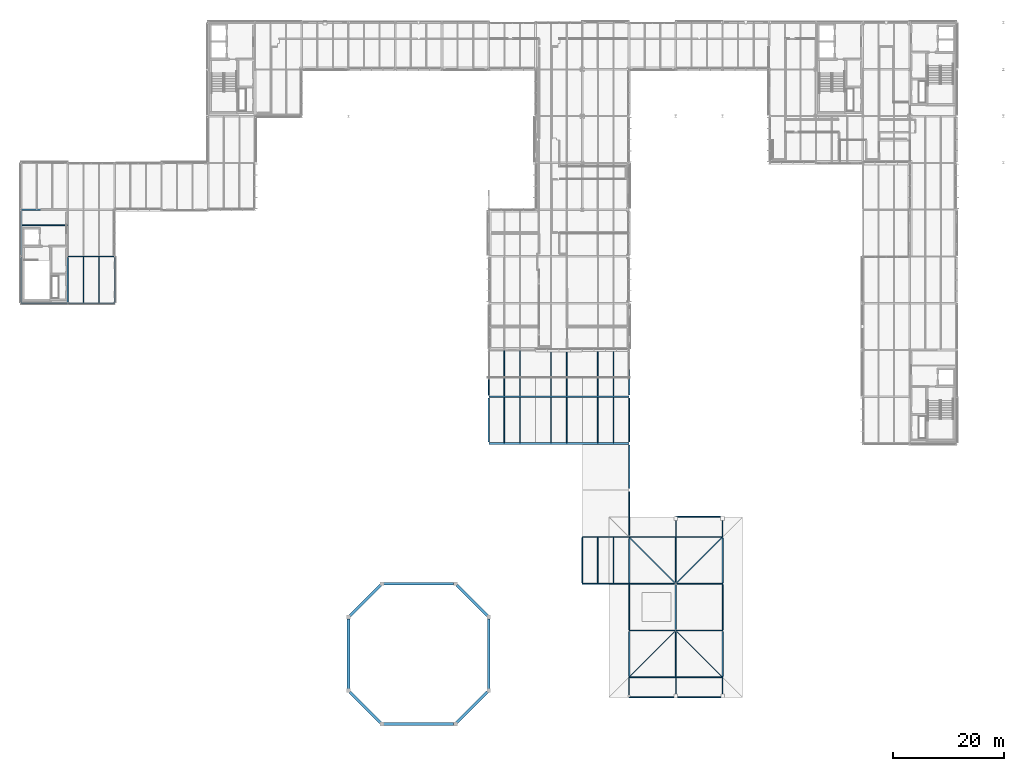
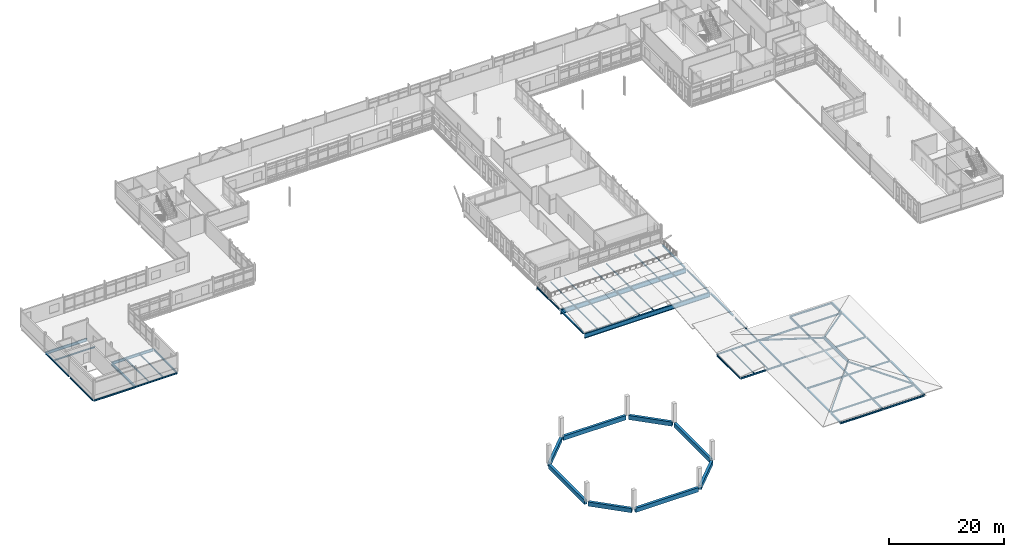
# One storey, part 13 of 103: 70 beams, 4 members.
"""IFC4 building model written with IfcOpenShell, lengths in metres."""

from ifc_helpers import new_model, si_unit, direction, frame, origin, origin_2d, place, context, subcontext, project, spatial, rectangle, i_section, extrude, material, material_profile, profile_set, type_object, element, save


model = new_model("IFC4")

# Units and contexts
model_context = context("Model", 3, precision=1e-05, world=origin(), true_north=direction((0.0, 1.0)))
body_context = subcontext(model_context, "Body", "Model", "MODEL_VIEW")
ifc_project = project(units=[si_unit("LENGTHUNIT", "METRE"), si_unit("AREAUNIT", "SQUARE_METRE"), si_unit("VOLUMEUNIT", "CUBIC_METRE"), si_unit("PLANEANGLEUNIT", "RADIAN"), si_unit("MASSUNIT", "GRAM", prefix="KILO")], contexts=[model_context])

# Site, building, storey
site_placement = place(None, origin())
site = spatial("IfcSite", under=ifc_project, at=site_placement, CompositionType="ELEMENT")
building_placement = place(site_placement, origin())
building = spatial("IfcBuilding", under=site, at=building_placement, Name="Mersafa Astral City Hall", CompositionType="ELEMENT")
storey_placement = place(building_placement, frame((0.0, 0.0, 18.0)))
storey = spatial("IfcBuildingStorey", under=building, at=storey_placement, Name="L04", CompositionType="ELEMENT", Elevation=18.0)

# Beams
ifc_material_1 = material(Name="Concrete C40/50", Category="concrete")
ifc_material_profile_1 = material_profile(ifc_material_1, rectangle(XDim=0.5, YDim=0.89990234375, at=origin_2d()), Name="RC 500x900")
ifc_profile_set_1 = profile_set([ifc_material_profile_1], Name="Concrete C40/50")
beam_type_1 = type_object("IfcBeamType", Name="STR-BM-DRUM-RC500X900", PredefinedType="BEAM", material=ifc_profile_set_1)
beam_1_placement = place(storey_placement, frame((73.510009765625, 0.0, -0.449951171875), z_axis=(1.0, 0.0, 0.0), x_axis=(0.0, 1.0, 0.0)))
element("IfcBeam", 1, at=beam_1_placement, inside=storey, type_object=beam_type_1, Name="L04 Chamber drum ring beam 1", PredefinedType="BEAM", context=body_context, shape_type="SweptSolid", body=[
    extrude(rectangle(XDim=0.5, YDim=0.89990234375, at=origin_2d()), origin(), (0.0, 0.0, 1.0), 12.580078125),
])
beam_2_placement = place(storey_placement, frame((86.619140625, 0.21923828125, -0.449951171875), z_axis=(0.707122301018, 0.707091261015, 0.0), x_axis=(-0.707091261015, 0.707122301018, 0.0)))
element("IfcBeam", 2, at=beam_2_placement, inside=storey, type_object=beam_type_1, Name="L04 Chamber drum ring beam 2", PredefinedType="BEAM", context=body_context, shape_type="SweptSolid", body=[
    extrude(rectangle(XDim=0.5, YDim=0.89990234375, at=origin_2d()), origin(), (0.0, 0.0, 1.0), 7.865234375),
])
beam_3_placement = place(storey_placement, frame((92.39990234375, 6.31005859375, -0.449951171875), z_axis=(0.0, 1.0, 0.0), x_axis=(-1.0, 0.0, 0.0)))
element("IfcBeam", 3, at=beam_3_placement, inside=storey, type_object=beam_type_1, Name="L04 Chamber drum ring beam 3", PredefinedType="BEAM", context=body_context, shape_type="SweptSolid", body=[
    extrude(rectangle(XDim=0.5, YDim=0.89990234375, at=origin_2d()), origin(), (0.0, 0.0, 1.0), 12.579833984375),
])
beam_4_placement = place(storey_placement, frame((92.180908203125, 19.419189453125, -0.449951171875), z_axis=(-0.707122301018, 0.707091261015, 0.0), x_axis=(-0.707091261015, -0.707122301018, 0.0)))
element("IfcBeam", 4, at=beam_4_placement, inside=storey, type_object=beam_type_1, Name="L04 Chamber drum ring beam 4", PredefinedType="BEAM", context=body_context, shape_type="SweptSolid", body=[
    extrude(rectangle(XDim=0.5, YDim=0.89990234375, at=origin_2d()), origin(), (0.0, 0.0, 1.0), 7.865234375),
])
beam_5_placement = place(storey_placement, frame((86.090087890625, 25.199951171875, -0.449951171875), z_axis=(-1.0, 0.0, 0.0), x_axis=(0.0, -1.0, 0.0)))
element("IfcBeam", 5, at=beam_5_placement, inside=storey, type_object=beam_type_1, Name="L04 Chamber drum ring beam 5", PredefinedType="BEAM", context=body_context, shape_type="SweptSolid", body=[
    extrude(rectangle(XDim=0.5, YDim=0.89990234375, at=origin_2d()), origin(), (0.0, 0.0, 1.0), 12.580078125),
])
beam_6_placement = place(storey_placement, frame((72.980712890625, 24.980712890625, -0.449951171875), z_axis=(-0.707106781187, -0.707106781187, 0.0), x_axis=(0.707106781187, -0.707106781187, 0.0)))
element("IfcBeam", 6, at=beam_6_placement, inside=storey, type_object=beam_type_1, Name="L04 Chamber drum ring beam 6", PredefinedType="BEAM", context=body_context, shape_type="SweptSolid", body=[
    extrude(rectangle(XDim=0.5, YDim=0.89990234375, at=origin_2d()), origin(), (0.0, 0.0, 1.0), 7.865234375),
])
beam_7_placement = place(storey_placement, frame((67.199951171875, 18.889892578125, -0.449951171875), z_axis=(0.0, -1.0, 0.0), x_axis=(1.0, 0.0, 0.0)))
element("IfcBeam", 7, at=beam_7_placement, inside=storey, type_object=beam_type_1, Name="L04 Chamber drum ring beam 7", PredefinedType="BEAM", context=body_context, shape_type="SweptSolid", body=[
    extrude(rectangle(XDim=0.5, YDim=0.89990234375, at=origin_2d()), origin(), (0.0, 0.0, 1.0), 12.579833984375),
])
beam_8_placement = place(storey_placement, frame((67.419189453125, 5.78076171875, -0.449951171875), z_axis=(0.707106781187, -0.707106781187, 0.0), x_axis=(0.707106781187, 0.707106781187, 0.0)))
element("IfcBeam", 8, at=beam_8_placement, inside=storey, type_object=beam_type_1, Name="L04 Chamber drum ring beam 8", PredefinedType="BEAM", context=body_context, shape_type="SweptSolid", body=[
    extrude(rectangle(XDim=0.5, YDim=0.89990234375, at=origin_2d()), origin(), (0.0, 0.0, 1.0), 7.865234375),
])
ifc_material_2 = material(Name="Steel S355", Category="steel")
ifc_material_profile_2 = material_profile(ifc_material_2, i_section(OverallWidth=0.300048828125, OverallDepth=0.489990234375, WebThickness=0.011962890625, FlangeThickness=0.02294921875, FilletRadius=0.027099609375, at=origin_2d()), Name="HEA 500")
ifc_profile_set_2 = profile_set([ifc_material_profile_2], Name="Steel S355")
beam_type_2 = type_object("IfcBeamType", Name="STR-BM-HEA500", PredefinedType="BEAM", material=ifc_profile_set_2)
beam_9_placement = place(storey_placement, frame((16.800048828125, 75.764892578125, -0.429931640625), z_axis=(0.0, 1.0, 0.0), x_axis=(-1.0, 0.0, 0.0)))
element("IfcBeam", 9, at=beam_9_placement, inside=storey, type_object=beam_type_2, Name="L04 Primary girder Y 2-9", PredefinedType="BEAM", context=body_context, shape_type="SweptSolid", body=[
    extrude(i_section(OverallWidth=0.300048828125, OverallDepth=0.489990234375, WebThickness=0.011962890625, FlangeThickness=0.02294921875, FilletRadius=0.027099609375, at=origin_2d()), origin(), (0.0, 0.0, 1.0), 8.06005859375),
])
ifc_material_profile_3 = material_profile(ifc_material_2, i_section(OverallWidth=0.199951171875, OverallDepth=0.5, WebThickness=0.01025390625, FlangeThickness=0.01611328125, FilletRadius=0.02099609375, at=origin_2d()), Name="IPE 500")
ifc_profile_set_3 = profile_set([ifc_material_profile_3], Name="Steel S355")
beam_type_3 = type_object("IfcBeamType", Name="STR-BM-IPE500", PredefinedType="BEAM", material=ifc_profile_set_3)
for number, where, z_axis, x_axis, name in (
    (10, (117.60009765625, 8.39990234375, -0.409912109375), (0.0, -1.0, 0.0), (1.0, 0.0, 0.0), "L04 Cantilevered eave beam ROOF-T2-V3 S-14"),
    (11, (126.0, 8.39990234375, -0.409912109375), (0.0, -1.0, 0.0), (1.0, 0.0, 0.0), "L04 Cantilevered eave beam ROOF-T2-V3 S-15"),
    (12, (126.0, 33.60009765625, -0.409912109375), (0.0, 1.0, 0.0), (-1.0, 0.0, 0.0), "L04 Cantilevered eave beam ROOF-T2-V3 N-15"),
    (13, (134.39990234375, 8.39990234375, -0.409912109375), (0.0, -1.0, 0.0), (1.0, 0.0, 0.0), "L04 Cantilevered eave beam ROOF-T2-V3 S-16"),
    (14, (134.39990234375, 33.60009765625, -0.409912109375), (0.0, 1.0, 0.0), (-1.0, 0.0, 0.0), "L04 Cantilevered eave beam ROOF-T2-V3 N-16"),
):
    element("IfcBeam", number, at=place(storey_placement, frame(where, z_axis=z_axis, x_axis=x_axis)), inside=storey, type_object=beam_type_3, Name=name, PredefinedType="BEAM", context=body_context, shape_type="SweptSolid", body=[
        extrude(i_section(OverallWidth=0.199951171875, OverallDepth=0.5, WebThickness=0.01025390625, FlangeThickness=0.01611328125, FilletRadius=0.02099609375, at=origin_2d()), origin(), (0.0, 0.0, 1.0), 3.599853515625),
    ])
ifc_material_profile_4 = material_profile(ifc_material_2, i_section(OverallWidth=0.219970703125, OverallDepth=0.60009765625, WebThickness=0.011962890625, FlangeThickness=0.01904296875, FilletRadius=0.02392578125, at=origin_2d()), Name="IPE 600")
ifc_profile_set_4 = profile_set([ifc_material_profile_4], Name="Steel S355")
beam_type_4 = type_object("IfcBeamType", Name="STR-BM-IPE600", PredefinedType="BEAM", material=ifc_profile_set_4)
for number, where, z_axis, x_axis, name in (
    (15, (16.802978515625, 84.0, -0.485107421875), (1.0, 0.0, 0.0), (0.0, 1.0, 0.0), "L04 Primary girder X 2-10"),
    (16, (8.403076171875, 92.39990234375, -0.485107421875), (1.0, 0.0, 0.0), (0.0, 1.0, 0.0), "L04 Primary girder X 1-11"),
):
    element("IfcBeam", number, at=place(storey_placement, frame(where, z_axis=z_axis, x_axis=x_axis)), inside=storey, type_object=beam_type_4, Name=name, PredefinedType="BEAM", context=body_context, shape_type="SweptSolid", body=[
        extrude(i_section(OverallWidth=0.219970703125, OverallDepth=0.60009765625, WebThickness=0.011962890625, FlangeThickness=0.01904296875, FilletRadius=0.02392578125, at=origin_2d()), origin(), (0.0, 0.0, 1.0), 8.39404296875),
    ])
beam_10_placement = place(storey_placement, frame((126.0, 16.800048828125, 2.410888671875), z_axis=(0.0, 1.0, 0.0), x_axis=(-1.0, 0.0, 0.0)))
element("IfcBeam", 17, at=beam_10_placement, inside=storey, type_object=beam_type_4, Name="L04 Hipped roof ridge beam ROOF-T2-V3-1", PredefinedType="BEAM", context=body_context, shape_type="SweptSolid", body=[
    extrude(i_section(OverallWidth=0.219970703125, OverallDepth=0.60009765625, WebThickness=0.011962890625, FlangeThickness=0.01904296875, FilletRadius=0.02392578125, at=origin_2d()), origin(), (0.0, 0.0, 1.0), 8.39990234375),
])
ifc_material_profile_5 = material_profile(ifc_material_2, i_section(OverallWidth=0.135009765625, OverallDepth=0.27001953125, WebThickness=0.006591796875, FlangeThickness=0.01025390625, FilletRadius=0.014892578125, at=origin_2d()), Name="IPE 270")
ifc_profile_set_5 = profile_set([ifc_material_profile_5], Name="Steel S355")
beam_type_5 = type_object("IfcBeamType", Name="STR-BM-JOIST-IPE270", PredefinedType="JOIST", material=ifc_profile_set_5)
for number, where, z_axis, x_axis, name in (
    (18, (95.199951171875, 50.544921875, -0.3349609375), (0.0, 1.0, 0.0), (-1.0, 0.0, 0.0), "L04 Flat roof secondary joist 1"),
    (19, (98.0, 50.544921875, -0.3349609375), (0.0, 1.0, 0.0), (-1.0, 0.0, 0.0), "L04 Flat roof secondary joist 2"),
):
    element("IfcBeam", number, at=place(storey_placement, frame(where, z_axis=z_axis, x_axis=x_axis)), inside=storey, type_object=beam_type_5, Name=name, PredefinedType="JOIST", context=body_context, shape_type="SweptSolid", body=[
        extrude(i_section(OverallWidth=0.135009765625, OverallDepth=0.27001953125, WebThickness=0.006591796875, FlangeThickness=0.01025390625, FilletRadius=0.014892578125, at=origin_2d()), origin(), (0.0, 0.0, 1.0), 8.110107421875),
    ])
for number, where, z_axis, x_axis, name in (
    (20, (95.199951171875, 58.945068359375, -0.3349609375), (0.0, 1.0, 0.0), (-1.0, 0.0, 0.0), "L04 Flat roof secondary joist 3"),
    (21, (98.0, 58.945068359375, -0.3349609375), (0.0, 1.0, 0.0), (-1.0, 0.0, 0.0), "L04 Flat roof secondary joist 4"),
):
    element("IfcBeam", number, at=place(storey_placement, frame(where, z_axis=z_axis, x_axis=x_axis)), inside=storey, type_object=beam_type_5, Name=name, PredefinedType="JOIST", context=body_context, shape_type="SweptSolid", body=[
        extrude(i_section(OverallWidth=0.135009765625, OverallDepth=0.27001953125, WebThickness=0.006591796875, FlangeThickness=0.01025390625, FilletRadius=0.014892578125, at=origin_2d()), origin(), (0.0, 0.0, 1.0), 8.10986328125),
    ])
for number, where, z_axis, x_axis, name in (
    (22, (103.60009765625, 50.544921875, -0.3349609375), (0.0, 1.0, 0.0), (-1.0, 0.0, 0.0), "L04 Flat roof secondary joist 5"),
    (23, (106.39990234375, 50.544921875, -0.3349609375), (0.0, 1.0, 0.0), (-1.0, 0.0, 0.0), "L04 Flat roof secondary joist 6"),
):
    element("IfcBeam", number, at=place(storey_placement, frame(where, z_axis=z_axis, x_axis=x_axis)), inside=storey, type_object=beam_type_5, Name=name, PredefinedType="JOIST", context=body_context, shape_type="SweptSolid", body=[
        extrude(i_section(OverallWidth=0.135009765625, OverallDepth=0.27001953125, WebThickness=0.006591796875, FlangeThickness=0.01025390625, FilletRadius=0.014892578125, at=origin_2d()), origin(), (0.0, 0.0, 1.0), 8.110107421875),
    ])
for number, where, z_axis, x_axis, name in (
    (24, (103.60009765625, 58.945068359375, -0.3349609375), (0.0, 1.0, 0.0), (-1.0, 0.0, 0.0), "L04 Flat roof secondary joist 7"),
    (25, (106.39990234375, 58.945068359375, -0.3349609375), (0.0, 1.0, 0.0), (-1.0, 0.0, 0.0), "L04 Flat roof secondary joist 8"),
):
    element("IfcBeam", number, at=place(storey_placement, frame(where, z_axis=z_axis, x_axis=x_axis)), inside=storey, type_object=beam_type_5, Name=name, PredefinedType="JOIST", context=body_context, shape_type="SweptSolid", body=[
        extrude(i_section(OverallWidth=0.135009765625, OverallDepth=0.27001953125, WebThickness=0.006591796875, FlangeThickness=0.01025390625, FilletRadius=0.014892578125, at=origin_2d()), origin(), (0.0, 0.0, 1.0), 8.10986328125),
    ])
for number, where, z_axis, x_axis, name in (
    (26, (112.0, 25.280029296875, -0.3349609375), (0.0, 1.0, 0.0), (-1.0, 0.0, 0.0), "L04 Flat roof secondary joist 9"),
    (27, (114.800048828125, 25.280029296875, -0.3349609375), (0.0, 1.0, 0.0), (-1.0, 0.0, 0.0), "L04 Flat roof secondary joist 10"),
):
    element("IfcBeam", number, at=place(storey_placement, frame(where, z_axis=z_axis, x_axis=x_axis)), inside=storey, type_object=beam_type_5, Name=name, PredefinedType="JOIST", context=body_context, shape_type="SweptSolid", body=[
        extrude(i_section(OverallWidth=0.135009765625, OverallDepth=0.27001953125, WebThickness=0.006591796875, FlangeThickness=0.01025390625, FilletRadius=0.014892578125, at=origin_2d()), origin(), (0.0, 0.0, 1.0), 8.244873046875),
    ])
for number, where, z_axis, x_axis, name in (
    (28, (112.0, 50.544921875, -0.3349609375), (0.0, 1.0, 0.0), (-1.0, 0.0, 0.0), "L04 Flat roof secondary joist 11"),
    (29, (114.800048828125, 50.544921875, -0.3349609375), (0.0, 1.0, 0.0), (-1.0, 0.0, 0.0), "L04 Flat roof secondary joist 12"),
):
    element("IfcBeam", number, at=place(storey_placement, frame(where, z_axis=z_axis, x_axis=x_axis)), inside=storey, type_object=beam_type_5, Name=name, PredefinedType="JOIST", context=body_context, shape_type="SweptSolid", body=[
        extrude(i_section(OverallWidth=0.135009765625, OverallDepth=0.27001953125, WebThickness=0.006591796875, FlangeThickness=0.01025390625, FilletRadius=0.014892578125, at=origin_2d()), origin(), (0.0, 0.0, 1.0), 8.110107421875),
    ])
for number, where, z_axis, x_axis, name in (
    (30, (112.0, 58.945068359375, -0.3349609375), (0.0, 1.0, 0.0), (-1.0, 0.0, 0.0), "L04 Flat roof secondary joist 13"),
    (31, (114.800048828125, 58.945068359375, -0.3349609375), (0.0, 1.0, 0.0), (-1.0, 0.0, 0.0), "L04 Flat roof secondary joist 14"),
):
    element("IfcBeam", number, at=place(storey_placement, frame(where, z_axis=z_axis, x_axis=x_axis)), inside=storey, type_object=beam_type_5, Name=name, PredefinedType="JOIST", context=body_context, shape_type="SweptSolid", body=[
        extrude(i_section(OverallWidth=0.135009765625, OverallDepth=0.27001953125, WebThickness=0.006591796875, FlangeThickness=0.01025390625, FilletRadius=0.014892578125, at=origin_2d()), origin(), (0.0, 0.0, 1.0), 8.10986328125),
    ])
ifc_material_profile_6 = material_profile(ifc_material_2, i_section(OverallWidth=0.14990234375, OverallDepth=0.300048828125, WebThickness=0.007080078125, FlangeThickness=0.0107421875, FilletRadius=0.014892578125, at=origin_2d()), Name="IPE 300")
ifc_profile_set_6 = profile_set([ifc_material_profile_6], Name="Steel S355")
beam_type_6 = type_object("IfcBeamType", Name="STR-BM-JOIST-IPE300", PredefinedType="JOIST", material=ifc_profile_set_6)
beam_11_placement = place(storey_placement, frame((8.534912109375, 89.60009765625, -0.3349609375), z_axis=(1.0, 0.0, 0.0), x_axis=(0.0, 1.0, 0.0)))
element("IfcBeam", 32, at=beam_11_placement, inside=storey, type_object=beam_type_6, Name="L04 Composite secondary floor joist 681", PredefinedType="JOIST", context=body_context, shape_type="SweptSolid", body=[
    extrude(i_section(OverallWidth=0.14990234375, OverallDepth=0.300048828125, WebThickness=0.007080078125, FlangeThickness=0.0107421875, FilletRadius=0.014892578125, at=origin_2d()), origin(), (0.0, 0.0, 1.0), 8.18017578125),
])
for number, where, z_axis, x_axis, name in (
    (33, (19.60009765625, 75.675048828125, -0.3349609375), (0.0, 1.0, 0.0), (-1.0, 0.0, 0.0), "L04 Composite secondary floor joist 684"),
    (34, (22.39990234375, 75.675048828125, -0.3349609375), (0.0, 1.0, 0.0), (-1.0, 0.0, 0.0), "L04 Composite secondary floor joist 685"),
):
    element("IfcBeam", number, at=place(storey_placement, frame(where, z_axis=z_axis, x_axis=x_axis)), inside=storey, type_object=beam_type_6, Name=name, PredefinedType="JOIST", context=body_context, shape_type="SweptSolid", body=[
        extrude(i_section(OverallWidth=0.14990234375, OverallDepth=0.300048828125, WebThickness=0.007080078125, FlangeThickness=0.0107421875, FilletRadius=0.014892578125, at=origin_2d()), origin(), (0.0, 0.0, 1.0), 8.219970703125),
    ])
ifc_material_profile_7 = material_profile(ifc_material_2, i_section(OverallWidth=0.300048828125, OverallDepth=1.0, WebThickness=0.01904296875, FlangeThickness=0.035888671875, FilletRadius=0.030029296875, at=origin_2d()), Name="HEB 1000")
ifc_profile_set_7 = profile_set([ifc_material_profile_7], Name="Steel S355")
beam_type_7 = type_object("IfcBeamType", Name="STR-BM-PORTAL-HEB1000", PredefinedType="BEAM", material=ifc_profile_set_7)
for number, where, z_axis, x_axis, name in (
    (35, (92.403076171875, 50.39990234375, -0.699951171875), (1.0, 0.0, 0.0), (0.0, 1.0, 0.0), "L04 Public Service Hall clear-span portal girder 6"),
    (36, (92.403076171875, 58.800048828125, -0.699951171875), (1.0, 0.0, 0.0), (0.0, 1.0, 0.0), "L04 Public Service Hall clear-span portal girder 7"),
):
    element("IfcBeam", number, at=place(storey_placement, frame(where, z_axis=z_axis, x_axis=x_axis)), inside=storey, type_object=beam_type_7, Name=name, PredefinedType="BEAM", context=body_context, shape_type="SweptSolid", body=[
        extrude(i_section(OverallWidth=0.300048828125, OverallDepth=1.0, WebThickness=0.01904296875, FlangeThickness=0.035888671875, FilletRadius=0.030029296875, at=origin_2d()), origin(), (0.0, 0.0, 1.0), 25.19384765625),
    ])
ifc_material_profile_8 = material_profile(ifc_material_2, i_section(OverallWidth=0.280029296875, OverallDepth=0.27001953125, WebThickness=0.008056640625, FlangeThickness=0.012939453125, FilletRadius=0.02392578125, at=origin_2d()), Name="HEA 280")
ifc_profile_set_8 = profile_set([ifc_material_profile_8], Name="Steel S355")
beam_type_8 = type_object("IfcBeamType", Name="STR-BM-SPANDREL-HEA280", PredefinedType="SPANDREL", material=ifc_profile_set_8)
beam_12_placement = place(storey_placement, frame((8.39990234375, 84.1650390625, -0.320068359375), z_axis=(0.0, 1.0, 0.0), x_axis=(-1.0, 0.0, 0.0)))
element("IfcBeam", 37, at=beam_12_placement, inside=storey, type_object=beam_type_8, Name="L04 Primary girder Y 1-10", PredefinedType="SPANDREL", context=body_context, shape_type="SweptSolid", body=[
    extrude(i_section(OverallWidth=0.280029296875, OverallDepth=0.27001953125, WebThickness=0.008056640625, FlangeThickness=0.012939453125, FilletRadius=0.02392578125, at=origin_2d()), origin(), (0.0, 0.0, 1.0), 8.06005859375),
])
beam_13_placement = place(storey_placement, frame((92.39990234375, 50.669921875, -0.3349609375), z_axis=(0.0, 1.0, 0.0), x_axis=(-1.0, 0.0, 0.0)))
element("IfcBeam", 38, at=beam_13_placement, inside=storey, type_object=beam_type_8, Name="L04 Primary girder Y 11-6", PredefinedType="SPANDREL", context=body_context, shape_type="SweptSolid", body=[
    extrude(i_section(OverallWidth=0.280029296875, OverallDepth=0.27001953125, WebThickness=0.008056640625, FlangeThickness=0.012939453125, FilletRadius=0.02392578125, at=origin_2d()), origin(), (0.0, 0.0, 1.0), 7.860107421875),
])
beam_14_placement = place(storey_placement, frame((117.60009765625, 8.544921875, -0.320068359375), z_axis=(0.0, 1.0, 0.0), x_axis=(-1.0, 0.0, 0.0)))
element("IfcBeam", 39, at=beam_14_placement, inside=storey, type_object=beam_type_8, Name="L04 Primary girder Y 14-1", PredefinedType="SPANDREL", context=body_context, shape_type="SweptSolid", body=[
    extrude(i_section(OverallWidth=0.280029296875, OverallDepth=0.27001953125, WebThickness=0.008056640625, FlangeThickness=0.012939453125, FilletRadius=0.02392578125, at=origin_2d()), origin(), (0.0, 0.0, 1.0), 8.110107421875),
])
beam_15_placement = place(storey_placement, frame((117.60009765625, 25.344970703125, -0.3349609375), z_axis=(0.0, 1.0, 0.0), x_axis=(-1.0, 0.0, 0.0)))
element("IfcBeam", 40, at=beam_15_placement, inside=storey, type_object=beam_type_8, Name="L04 Primary girder Y 14-3", PredefinedType="SPANDREL", context=body_context, shape_type="SweptSolid", body=[
    extrude(i_section(OverallWidth=0.280029296875, OverallDepth=0.27001953125, WebThickness=0.008056640625, FlangeThickness=0.012939453125, FilletRadius=0.02392578125, at=origin_2d()), origin(), (0.0, 0.0, 1.0), 7.985107421875),
])
for number, where, z_axis, x_axis, name in (
    (41, (117.60009765625, 42.27001953125, -0.3349609375), (0.0, 1.0, 0.0), (-1.0, 0.0, 0.0), "L04 Primary girder Y 14-5"),
    (42, (117.60009765625, 59.070068359375, -0.3349609375), (0.0, 1.0, 0.0), (-1.0, 0.0, 0.0), "L04 Primary girder Y 14-7"),
):
    element("IfcBeam", number, at=place(storey_placement, frame(where, z_axis=z_axis, x_axis=x_axis)), inside=storey, type_object=beam_type_8, Name=name, PredefinedType="SPANDREL", context=body_context, shape_type="SweptSolid", body=[
        extrude(i_section(OverallWidth=0.280029296875, OverallDepth=0.27001953125, WebThickness=0.008056640625, FlangeThickness=0.012939453125, FilletRadius=0.02392578125, at=origin_2d()), origin(), (0.0, 0.0, 1.0), 7.85986328125),
    ])
beam_16_placement = place(storey_placement, frame((126.0, 16.945068359375, -0.320068359375), z_axis=(0.0, 1.0, 0.0), x_axis=(-1.0, 0.0, 0.0)))
element("IfcBeam", 43, at=beam_16_placement, inside=storey, type_object=beam_type_8, Name="L04 Primary girder Y 15-2", PredefinedType="SPANDREL", context=body_context, shape_type="SweptSolid", body=[
    extrude(i_section(OverallWidth=0.280029296875, OverallDepth=0.27001953125, WebThickness=0.008056640625, FlangeThickness=0.012939453125, FilletRadius=0.02392578125, at=origin_2d()), origin(), (0.0, 0.0, 1.0), 8.10986328125),
])
for number, where, z_axis, x_axis, name in (
    (44, (134.39990234375, 8.544921875, -0.320068359375), (0.0, 1.0, 0.0), (-1.0, 0.0, 0.0), "L04 Primary girder Y 16-1"),
    (45, (134.39990234375, 25.344970703125, -0.320068359375), (0.0, 1.0, 0.0), (-1.0, 0.0, 0.0), "L04 Primary girder Y 16-3"),
):
    element("IfcBeam", number, at=place(storey_placement, frame(where, z_axis=z_axis, x_axis=x_axis)), inside=storey, type_object=beam_type_8, Name=name, PredefinedType="SPANDREL", context=body_context, shape_type="SweptSolid", body=[
        extrude(i_section(OverallWidth=0.280029296875, OverallDepth=0.27001953125, WebThickness=0.008056640625, FlangeThickness=0.012939453125, FilletRadius=0.02392578125, at=origin_2d()), origin(), (0.0, 0.0, 1.0), 8.110107421875),
    ])
ifc_material_profile_9 = material_profile(ifc_material_2, i_section(OverallWidth=0.159912109375, OverallDepth=0.330078125, WebThickness=0.007568359375, FlangeThickness=0.011474609375, FilletRadius=0.01806640625, at=origin_2d()), Name="IPE 330")
ifc_profile_set_9 = profile_set([ifc_material_profile_9], Name="Steel S355")
beam_type_9 = type_object("IfcBeamType", Name="STR-BM-SPANDREL-IPE330", PredefinedType="SPANDREL", material=ifc_profile_set_9)
for number, where, z_axis, x_axis, name in (
    (46, (117.60302734375, 8.39990234375, -0.35009765625), (1.0, 0.0, 0.0), (0.0, 1.0, 0.0), "L04 Primary girder X 14-1"),
    (47, (126.0029296875, 16.800048828125, -0.35009765625), (1.0, 0.0, 0.0), (0.0, 1.0, 0.0), "L04 Primary girder X 15-2"),
    (48, (117.60302734375, 25.199951171875, -0.35009765625), (1.0, 0.0, 0.0), (0.0, 1.0, 0.0), "L04 Primary girder X 14-3"),
    (49, (109.202880859375, 33.60009765625, -0.364990234375), (1.0, 0.0, 0.0), (0.0, 1.0, 0.0), "L04 Primary girder X 13-4"),
    (50, (126.0029296875, 33.60009765625, -0.35009765625), (1.0, 0.0, 0.0), (0.0, 1.0, 0.0), "L04 Primary girder X 15-4"),
    (51, (16.802978515625, 75.60009765625, -0.35009765625), (1.0, 0.0, 0.0), (0.0, 1.0, 0.0), "L04 Primary girder X 2-9"),
):
    element("IfcBeam", number, at=place(storey_placement, frame(where, z_axis=z_axis, x_axis=x_axis)), inside=storey, type_object=beam_type_9, Name=name, PredefinedType="SPANDREL", context=body_context, shape_type="SweptSolid", body=[
        extrude(i_section(OverallWidth=0.159912109375, OverallDepth=0.330078125, WebThickness=0.007568359375, FlangeThickness=0.011474609375, FilletRadius=0.01806640625, at=origin_2d()), origin(), (0.0, 0.0, 1.0), 8.39404296875),
    ])
ifc_material_profile_10 = material_profile(ifc_material_2, i_section(OverallWidth=0.169921875, OverallDepth=0.360107421875, WebThickness=0.008056640625, FlangeThickness=0.0126953125, FilletRadius=0.01806640625, at=origin_2d()), Name="IPE 360")
ifc_profile_set_10 = profile_set([ifc_material_profile_10], Name="Steel S355")
beam_type_10 = type_object("IfcBeamType", Name="STR-BM-SPANDREL-IPE360", PredefinedType="SPANDREL", material=ifc_profile_set_10)
for number, where, z_axis, x_axis, name in (
    (52, (126.0029296875, 8.39990234375, -0.364990234375), (1.0, 0.0, 0.0), (0.0, 1.0, 0.0), "L04 Primary girder X 15-1"),
    (53, (117.60302734375, 16.800048828125, -0.364990234375), (1.0, 0.0, 0.0), (0.0, 1.0, 0.0), "L04 Primary girder X 14-2"),
    (54, (109.202880859375, 25.199951171875, -0.3798828125), (1.0, 0.0, 0.0), (0.0, 1.0, 0.0), "L04 Primary girder X 13-3"),
    (55, (126.0029296875, 25.199951171875, -0.364990234375), (1.0, 0.0, 0.0), (0.0, 1.0, 0.0), "L04 Primary girder X 15-3"),
    (56, (117.60302734375, 33.60009765625, -0.364990234375), (1.0, 0.0, 0.0), (0.0, 1.0, 0.0), "L04 Primary girder X 14-4"),
    (57, (8.403076171875, 75.60009765625, -0.364990234375), (1.0, 0.0, 0.0), (0.0, 1.0, 0.0), "L04 Primary girder X 1-9"),
):
    element("IfcBeam", number, at=place(storey_placement, frame(where, z_axis=z_axis, x_axis=x_axis)), inside=storey, type_object=beam_type_10, Name=name, PredefinedType="SPANDREL", context=body_context, shape_type="SweptSolid", body=[
        extrude(i_section(OverallWidth=0.169921875, OverallDepth=0.360107421875, WebThickness=0.008056640625, FlangeThickness=0.0126953125, FilletRadius=0.01806640625, at=origin_2d()), origin(), (0.0, 0.0, 1.0), 8.39404296875),
    ])
for number, where, z_axis, x_axis, name in (
    (58, (8.39990234375, 75.77490234375, -0.364990234375), (0.0, 1.0, 0.0), (-1.0, 0.0, 0.0), "L04 Primary girder Y 1-9"),
    (59, (25.199951171875, 75.77490234375, -0.364990234375), (0.0, 1.0, 0.0), (-1.0, 0.0, 0.0), "L04 Primary girder Y 3-9"),
):
    element("IfcBeam", number, at=place(storey_placement, frame(where, z_axis=z_axis, x_axis=x_axis)), inside=storey, type_object=beam_type_10, Name=name, PredefinedType="SPANDREL", context=body_context, shape_type="SweptSolid", body=[
        extrude(i_section(OverallWidth=0.169921875, OverallDepth=0.360107421875, WebThickness=0.008056640625, FlangeThickness=0.0126953125, FilletRadius=0.01806640625, at=origin_2d()), origin(), (0.0, 0.0, 1.0), 8.06005859375),
    ])
beam_17_placement = place(storey_placement, frame((92.39990234375, 59.070068359375, -0.3798828125), z_axis=(0.0, 1.0, 0.0), x_axis=(-1.0, 0.0, 0.0)))
element("IfcBeam", 60, at=beam_17_placement, inside=storey, type_object=beam_type_10, Name="L04 Primary girder Y 11-7", PredefinedType="SPANDREL", context=body_context, shape_type="SweptSolid", body=[
    extrude(i_section(OverallWidth=0.169921875, OverallDepth=0.360107421875, WebThickness=0.008056640625, FlangeThickness=0.0126953125, FilletRadius=0.01806640625, at=origin_2d()), origin(), (0.0, 0.0, 1.0), 7.85986328125),
])
beam_18_placement = place(storey_placement, frame((109.199951171875, 25.344970703125, -0.3798828125), z_axis=(0.0, 1.0, 0.0), x_axis=(-1.0, 0.0, 0.0)))
element("IfcBeam", 61, at=beam_18_placement, inside=storey, type_object=beam_type_10, Name="L04 Primary girder Y 13-3", PredefinedType="SPANDREL", context=body_context, shape_type="SweptSolid", body=[
    extrude(i_section(OverallWidth=0.169921875, OverallDepth=0.360107421875, WebThickness=0.008056640625, FlangeThickness=0.0126953125, FilletRadius=0.01806640625, at=origin_2d()), origin(), (0.0, 0.0, 1.0), 8.110107421875),
])
beam_19_placement = place(storey_placement, frame((117.60009765625, 16.945068359375, -0.364990234375), z_axis=(0.0, 1.0, 0.0), x_axis=(-1.0, 0.0, 0.0)))
element("IfcBeam", 62, at=beam_19_placement, inside=storey, type_object=beam_type_10, Name="L04 Primary girder Y 14-2", PredefinedType="SPANDREL", context=body_context, shape_type="SweptSolid", body=[
    extrude(i_section(OverallWidth=0.169921875, OverallDepth=0.360107421875, WebThickness=0.008056640625, FlangeThickness=0.0126953125, FilletRadius=0.01806640625, at=origin_2d()), origin(), (0.0, 0.0, 1.0), 8.10986328125),
])
beam_20_placement = place(storey_placement, frame((117.60009765625, 33.8701171875, -0.3798828125), z_axis=(0.0, 1.0, 0.0), x_axis=(-1.0, 0.0, 0.0)))
element("IfcBeam", 63, at=beam_20_placement, inside=storey, type_object=beam_type_10, Name="L04 Primary girder Y 14-4", PredefinedType="SPANDREL", context=body_context, shape_type="SweptSolid", body=[
    extrude(i_section(OverallWidth=0.169921875, OverallDepth=0.360107421875, WebThickness=0.008056640625, FlangeThickness=0.0126953125, FilletRadius=0.01806640625, at=origin_2d()), origin(), (0.0, 0.0, 1.0), 7.85986328125),
])
beam_21_placement = place(storey_placement, frame((117.60009765625, 50.669921875, -0.3798828125), z_axis=(0.0, 1.0, 0.0), x_axis=(-1.0, 0.0, 0.0)))
element("IfcBeam", 64, at=beam_21_placement, inside=storey, type_object=beam_type_10, Name="L04 Primary girder Y 14-6", PredefinedType="SPANDREL", context=body_context, shape_type="SweptSolid", body=[
    extrude(i_section(OverallWidth=0.169921875, OverallDepth=0.360107421875, WebThickness=0.008056640625, FlangeThickness=0.0126953125, FilletRadius=0.01806640625, at=origin_2d()), origin(), (0.0, 0.0, 1.0), 7.860107421875),
])
for number, where, z_axis, x_axis, name in (
    (65, (126.0, 8.544921875, -0.364990234375), (0.0, 1.0, 0.0), (-1.0, 0.0, 0.0), "L04 Primary girder Y 15-1"),
    (66, (126.0, 25.344970703125, -0.364990234375), (0.0, 1.0, 0.0), (-1.0, 0.0, 0.0), "L04 Primary girder Y 15-3"),
):
    element("IfcBeam", number, at=place(storey_placement, frame(where, z_axis=z_axis, x_axis=x_axis)), inside=storey, type_object=beam_type_10, Name=name, PredefinedType="SPANDREL", context=body_context, shape_type="SweptSolid", body=[
        extrude(i_section(OverallWidth=0.169921875, OverallDepth=0.360107421875, WebThickness=0.008056640625, FlangeThickness=0.0126953125, FilletRadius=0.01806640625, at=origin_2d()), origin(), (0.0, 0.0, 1.0), 8.110107421875),
    ])
beam_22_placement = place(storey_placement, frame((134.39990234375, 16.945068359375, -0.364990234375), z_axis=(0.0, 1.0, 0.0), x_axis=(-1.0, 0.0, 0.0)))
element("IfcBeam", 67, at=beam_22_placement, inside=storey, type_object=beam_type_10, Name="L04 Primary girder Y 16-2", PredefinedType="SPANDREL", context=body_context, shape_type="SweptSolid", body=[
    extrude(i_section(OverallWidth=0.169921875, OverallDepth=0.360107421875, WebThickness=0.008056640625, FlangeThickness=0.0126953125, FilletRadius=0.01806640625, at=origin_2d()), origin(), (0.0, 0.0, 1.0), 8.10986328125),
])
for number, where, z_axis, x_axis, name in (
    (68, (117.60009765625, 4.800048828125, -0.409912109375), (1.0, 0.0, 0.0), (0.0, 1.0, 0.0), "L04 Hipped roof eave fascia beam ROOF-T2-V3 S-1"),
    (69, (126.0, 4.800048828125, -0.409912109375), (1.0, 0.0, 0.0), (0.0, 1.0, 0.0), "L04 Hipped roof eave fascia beam ROOF-T2-V3 S-2"),
    (70, (126.0, 37.199951171875, -0.409912109375), (1.0, 0.0, 0.0), (0.0, 1.0, 0.0), "L04 Hipped roof eave fascia beam ROOF-T2-V3 N-1"),
):
    element("IfcBeam", number, at=place(storey_placement, frame(where, z_axis=z_axis, x_axis=x_axis)), inside=storey, type_object=beam_type_10, Name=name, PredefinedType="SPANDREL", context=body_context, shape_type="SweptSolid", body=[
        extrude(i_section(OverallWidth=0.169921875, OverallDepth=0.360107421875, WebThickness=0.008056640625, FlangeThickness=0.0126953125, FilletRadius=0.01806640625, at=origin_2d()), origin(), (0.0, 0.0, 1.0), 8.39990234375),
    ])

# Members
ifc_material_profile_11 = material_profile(ifc_material_2, i_section(OverallWidth=0.159912109375, OverallDepth=0.330078125, WebThickness=0.007568359375, FlangeThickness=0.011474609375, FilletRadius=0.01806640625, at=origin_2d()), Name="IPE 330")
ifc_profile_set_11 = profile_set([ifc_material_profile_11], Name="Steel S355")
member_type = type_object("IfcMemberType", Name="STR-MBR-RAFTER-IPE330", PredefinedType="RAFTER", material=ifc_profile_set_11)
for number, where, z_axis, x_axis, name in (
    (71, (117.60009765625, 8.39990234375, -0.25), (0.68999898497, 0.690019039582, 0.218575217613), (-0.707117056885, 0.707096505339, 0.0), "L04 Hipped roof corner hip rafter ROOF-T2-V3-1"),
    (72, (134.39990234375, 8.39990234375, -0.25), (-0.68999898497, 0.690019039582, 0.218575217613), (-0.707117056885, -0.707096505339, 0.0), "L04 Hipped roof corner hip rafter ROOF-T2-V3-2"),
    (73, (134.39990234375, 33.60009765625, -0.25), (-0.68999898497, -0.690019039582, 0.218575217613), (0.707117056885, -0.707096505339, 0.0), "L04 Hipped roof corner hip rafter ROOF-T2-V3-3"),
    (74, (117.60009765625, 33.60009765625, -0.25), (0.68999898497, -0.690019039582, 0.218575217613), (0.707117056885, 0.707096505339, 0.0), "L04 Hipped roof corner hip rafter ROOF-T2-V3-4"),
):
    element("IfcMember", number, at=place(storey_placement, frame(where, z_axis=z_axis, x_axis=x_axis)), inside=storey, type_object=member_type, Name=name, PredefinedType="RAFTER", context=body_context, shape_type="SweptSolid", body=[
        extrude(i_section(OverallWidth=0.159912109375, OverallDepth=0.330078125, WebThickness=0.007568359375, FlangeThickness=0.011474609375, FilletRadius=0.01806640625, at=origin_2d()), origin(), (0.0, 0.0, 1.0), 12.173828125),
    ])

save(model, "model.ifc")
